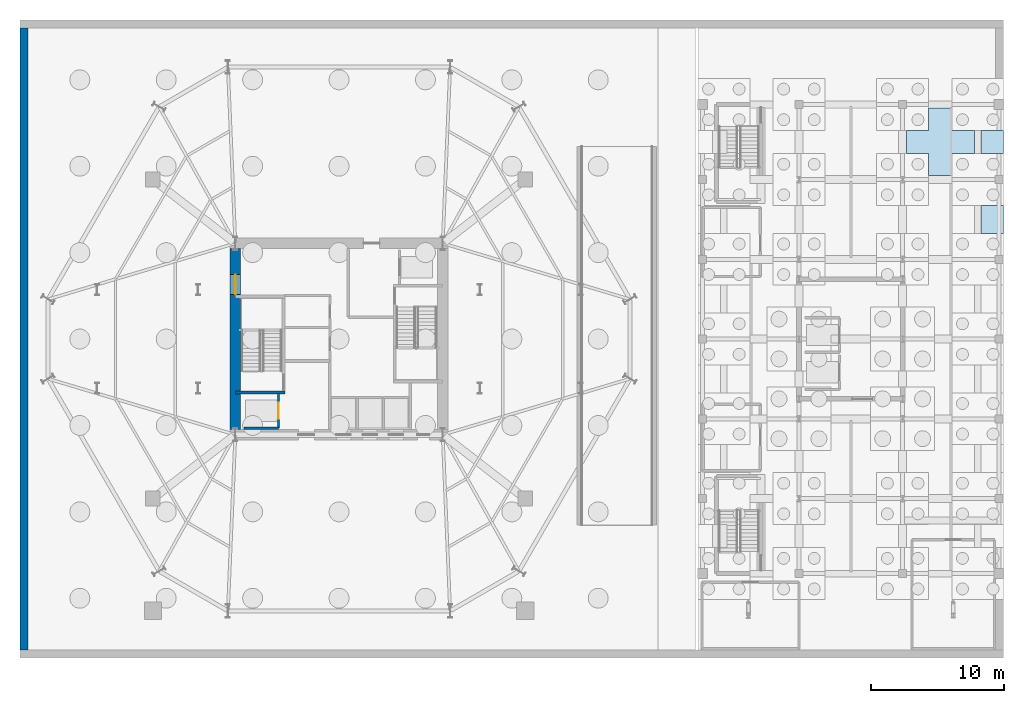
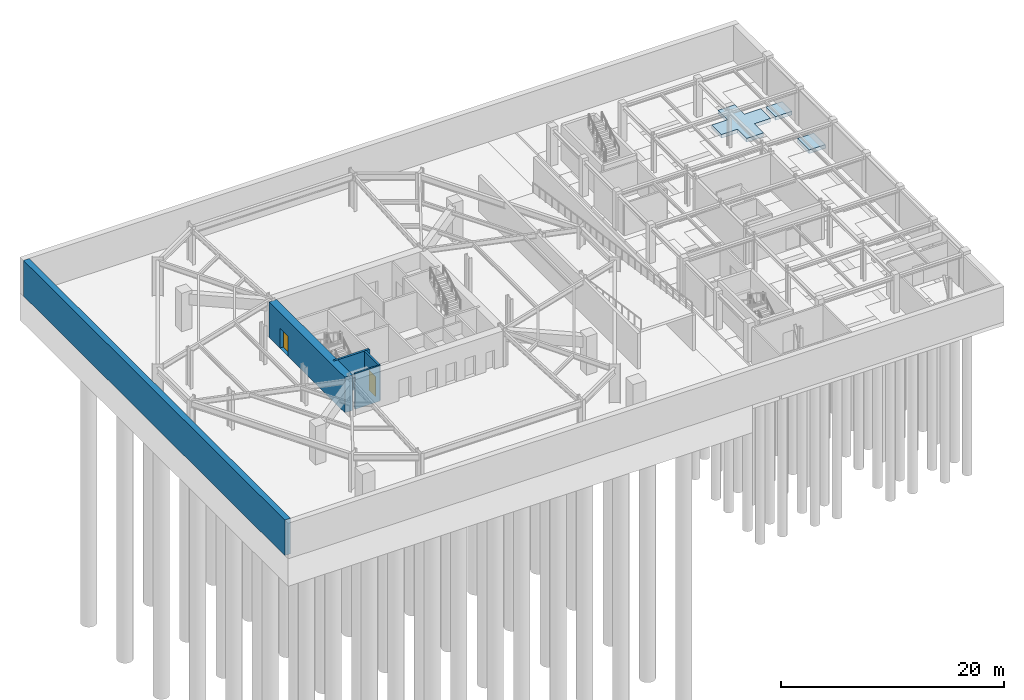
# One storey, part 12 of 18: 5 walls, 3 slabs, 2 doors, 2 openings.
"""IFC4 building model written with IfcOpenShell, lengths in metres."""

import ifcopenshell
import ifcopenshell.guid

model = None  # the IFC model being written
_history = None  # IfcOwnerHistory: only IFC2X3 demands one
_inside = {}  # id of a spatial element -> (the spatial element, [elements in it])
_under = {}  # id of a project, library or spatial element -> (it, [spatial elements below it])
_declared = {}  # id of a project -> (the project, [libraries it declares])
_typed = {}  # id of a type object -> (the type object, [elements of that type])
_made_of = {}  # id of a material, layer set ... -> (it, [elements and type objects made of it])


def new_model(schema):
    """Start an empty IFC model of exactly this schema.

    Asked for "IFC4X3", IfcOpenShell would pick the latest addendum, in which some entities
    have other attributes; the version numbers below select the first issue.
    IFC2X3 requires an IfcOwnerHistory on every rooted entity: one is made here for all.
    """
    global model, _history
    if schema == "IFC4X3":
        model = ifcopenshell.file(schema_version=(4, 3, 0, 0))
    else:
        model = ifcopenshell.file(schema=schema)
    _inside.clear()
    _under.clear()
    _declared.clear()
    _typed.clear()
    _made_of.clear()
    _history = None
    if model.schema == "IFC2X3":
        org = make("IfcOrganization", Name="unknown")
        user = make(
            "IfcPersonAndOrganization",
            ThePerson=make("IfcPerson", FamilyName="unknown"),
            TheOrganization=org,
        )
        app = make(
            "IfcApplication",
            ApplicationDeveloper=org,
            Version="unknown",
            ApplicationFullName="unknown",
            ApplicationIdentifier="unknown",
        )
        _history = make(
            "IfcOwnerHistory",
            OwningUser=user,
            OwningApplication=app,
            ChangeAction="ADDED",
            CreationDate=0,
        )
    return model


def make(cls, **values):
    """One entity of the class cls with the attributes given. An attribute that is None is left unset."""
    return model.create_entity(
        cls, **{name: value for name, value in values.items() if value is not None}
    )


def rooted(cls, **values):
    """An entity with a GlobalId (a new one), such as an element, a storey or a relation."""
    return make(cls, GlobalId=ifcopenshell.guid.new(), OwnerHistory=_history, **values)


def si_unit(unit_type, name, prefix=None):
    """IfcSIUnit, for example si_unit("LENGTHUNIT", "METRE", prefix="MILLI")."""
    return make("IfcSIUnit", UnitType=unit_type, Prefix=prefix, Name=name)


def assignment(units):
    """IfcUnitAssignment: the units of a project."""
    return None if units is None else make("IfcUnitAssignment", Units=units)


def point(xyz):
    """IfcCartesianPoint."""
    return None if xyz is None else make("IfcCartesianPoint", Coordinates=xyz)


def direction(xyz):
    """IfcDirection."""
    return None if xyz is None else make("IfcDirection", DirectionRatios=xyz)


def frame(location, z_axis=None, x_axis=None):
    """IfcAxis2Placement3D, a coordinate frame: its origin and axes. An axis left out is left unset."""
    return make(
        "IfcAxis2Placement3D",
        Location=point(location),
        Axis=direction(z_axis),
        RefDirection=direction(x_axis),
    )


def frame_2d(location, x_axis=None):
    """IfcAxis2Placement2D, a coordinate frame in the plane: its origin and x axis."""
    return make(
        "IfcAxis2Placement2D", Location=point(location), RefDirection=direction(x_axis)
    )


def origin():
    """The frame at (0, 0, 0) with its axes left unset."""
    return frame((0.0, 0.0, 0.0))


def place(relative_to, where):
    """IfcLocalPlacement: puts the frame where relative to a parent placement (None: the world)."""
    return make(
        "IfcLocalPlacement", PlacementRelTo=relative_to, RelativePlacement=where
    )


def context(
    kind, dimensions, precision=None, world=None, true_north=None, identifier=None
):
    """IfcGeometricRepresentationContext, for example the 3D "Model" context."""
    return make(
        "IfcGeometricRepresentationContext",
        ContextIdentifier=identifier,
        ContextType=kind,
        CoordinateSpaceDimension=dimensions,
        Precision=precision,
        WorldCoordinateSystem=world,
        TrueNorth=true_north,
    )


def subcontext(parent, identifier, kind, view, scale=None):
    """IfcGeometricRepresentationSubContext, for example "Body" below "Model"."""
    return make(
        "IfcGeometricRepresentationSubContext",
        ContextIdentifier=identifier,
        ContextType=kind,
        ParentContext=parent,
        TargetScale=scale,
        TargetView=view,
    )


def project(units=None, contexts=None):
    """IfcProject with its units and contexts."""
    return rooted(
        "IfcProject",
        Name="project",
        RepresentationContexts=contexts,
        UnitsInContext=assignment(units),
    )


def spatial(cls, under=None, at=None, **own):
    """A site, building, storey or space (cls), placed at a placement, below another one or the project."""
    s = rooted(cls, ObjectPlacement=at, **own)
    if under is not None:
        _under.setdefault(under.id(), (under, []))[1].append(s)
    return s


def polyline(points):
    """IfcPolyline through the points."""
    return make("IfcPolyline", Points=[point(p) for p in points])


def profile(cls, at=None, kind="AREA", **sizes):
    """A parametric profile (cls). Its sizes go by their IFC names, for example OverallWidth=200.0."""
    return make(cls, ProfileType=kind, Position=at, **sizes)


def rectangle(**sizes):
    """IfcRectangleProfileDef."""
    return profile("IfcRectangleProfileDef", **sizes)


def outline(outer, holes=None, kind="AREA"):
    """IfcArbitraryClosedProfileDef: a profile drawn as a closed curve; with holes, ...WithVoids."""
    if holes is None:
        return make("IfcArbitraryClosedProfileDef", ProfileType=kind, OuterCurve=outer)
    return make(
        "IfcArbitraryProfileDefWithVoids",
        ProfileType=kind,
        OuterCurve=outer,
        InnerCurves=holes,
    )


def extrude(swept, where, along, depth):
    """IfcExtrudedAreaSolid: the profile swept, set in the frame where, extruded along a direction by depth."""
    return make(
        "IfcExtrudedAreaSolid",
        SweptArea=swept,
        Position=where,
        ExtrudedDirection=direction(along),
        Depth=depth,
    )


def shape(context_of_items, identifier, shape_type, items):
    """IfcShapeRepresentation: the items that make up one representation, for example the "Body"."""
    return make(
        "IfcShapeRepresentation",
        ContextOfItems=context_of_items,
        RepresentationIdentifier=identifier,
        RepresentationType=shape_type,
        Items=items,
    )


def material(Name=None, Category=None):
    """IfcMaterial."""
    return make("IfcMaterial", Name=Name, Category=Category)


def layer(
    of_material, thickness, ventilated=None, Name=None, Category=None, Priority=None
):
    """IfcMaterialLayer: one layer of a wall or slab, of a material (None: an air gap)."""
    return make(
        "IfcMaterialLayer",
        Material=of_material,
        LayerThickness=thickness,
        IsVentilated=ventilated,
        Name=Name,
        Category=Category,
        Priority=Priority,
    )


def layer_set(layers, Name=None):
    """IfcMaterialLayerSet."""
    return make("IfcMaterialLayerSet", MaterialLayers=layers, LayerSetName=Name)


def made_of(thing, what):
    """Note that an element or type object is made of a material, layer set ...; save() writes the relation."""
    if what is not None:
        _made_of.setdefault(what.id(), (what, []))[1].append(thing)
    return thing


def type_object(cls, material=None, **own):
    """A type object (cls), such as IfcWallType, which elements share."""
    return made_of(rooted(cls, **own), material)


def element(
    cls,
    number,
    at=None,
    inside=None,
    cuts=None,
    type_object=None,
    material=None,
    context=None,
    identifier="Body",
    shape_type=None,
    held_by="IfcProductDefinitionShape",
    body=None,
    shapes=None,
    **own,
):
    """One element of the class cls, such as IfcWall. Its Tag is "e" and its number.

    at: its placement. inside: the storey or other place that contains it. cuts: it is an
    opening in that element (IfcRelVoidsElement). A single representation is given by context,
    identifier, shape_type and body (its items); several are given by shapes. held_by: the class
    of the entity that holds the representations. save() writes the other relations.
    """
    e = rooted(cls, Tag="e%d" % number, ObjectPlacement=at, **own)
    if body is not None:
        shapes = [shape(context, identifier, shape_type, body)]
    if shapes is not None:
        e.Representation = make(held_by, Representations=shapes)
    if inside is not None:
        _inside.setdefault(inside.id(), (inside, []))[1].append(e)
    if cuts is not None:
        rooted(
            "IfcRelVoidsElement", RelatingBuildingElement=cuts, RelatedOpeningElement=e
        )
    if type_object is not None:
        _typed.setdefault(type_object.id(), (type_object, []))[1].append(e)
    return made_of(e, material)


def fill(opening, filler):
    """IfcRelFillsElement: the door or window that sits in an opening."""
    return rooted(
        "IfcRelFillsElement",
        RelatingOpeningElement=opening,
        RelatedBuildingElement=filler,
    )


def aggregate(whole, parts):
    """IfcRelAggregates: a whole, such as a stair, and the parts it consists of."""
    return rooted("IfcRelAggregates", RelatingObject=whole, RelatedObjects=parts)


def save(model, path):
    """Write the relations noted so far, then the file.

    IfcRelAggregates (storeys below a building ...), IfcRelContainedInSpatialStructure (elements
    in a storey), IfcRelDefinesByType, IfcRelAssociatesMaterial and IfcRelDeclares: one each for
    every whole, place, type object, material and project.
    """
    for whole, parts in _under.values():
        aggregate(whole, parts)
    for where, things in _inside.values():
        rooted(
            "IfcRelContainedInSpatialStructure",
            RelatedElements=things,
            RelatingStructure=where,
        )
    for kind, things in _typed.values():
        rooted("IfcRelDefinesByType", RelatedObjects=things, RelatingType=kind)
    for what, things in _made_of.values():
        rooted("IfcRelAssociatesMaterial", RelatedObjects=things, RelatingMaterial=what)
    for by, libraries in _declared.values():
        rooted("IfcRelDeclares", RelatingContext=by, RelatedDefinitions=libraries)
    model.write(path)


model = new_model("IFC4")

# Units and contexts
model_context = context("Model", 3, precision=1e-05, world=origin(), true_north=direction((0.0, 1.0)))
body_context = subcontext(model_context, "Body", "Model", "MODEL_VIEW")
ifc_project = project(units=[si_unit("LENGTHUNIT", "METRE"), si_unit("AREAUNIT", "SQUARE_METRE"), si_unit("VOLUMEUNIT", "CUBIC_METRE"), si_unit("PLANEANGLEUNIT", "RADIAN"), si_unit("MASSUNIT", "GRAM", prefix="KILO")], contexts=[model_context])

# Site, building, storey
site_placement = place(None, origin())
site = spatial("IfcSite", under=ifc_project, at=site_placement, CompositionType="ELEMENT")
building_placement = place(site_placement, origin())
building = spatial("IfcBuilding", under=site, at=building_placement, Name="Kranzbogen Civic Tower", CompositionType="ELEMENT")
storey_placement = place(building_placement, frame((0.0, 0.0, -8.39990234375)))
storey = spatial("IfcBuildingStorey", under=building, at=storey_placement, Name="B02", CompositionType="ELEMENT", Elevation=-8.39990234375)

# Slabs
ifc_material_1 = material(Name="Concrete C40/50", Category="concrete")
ifc_layer_1 = layer(ifc_material_1, 0.39990234375, Name="Concrete C40/50")
ifc_layer_set_1 = layer_set([ifc_layer_1], Name="Concrete C40/50")
slab_type = type_object("IfcSlabType", Name="Basement Structural Base Slab 400 mm", PredefinedType="BASESLAB", material=ifc_layer_set_1)
slab_1_placement = place(storey_placement, frame((0.0, 0.0, -0.400146484375)))
element("IfcSlab", 1, at=slab_1_placement, inside=storey, type_object=slab_type, Name="B02 basement structural base slab 6", PredefinedType="BASESLAB", context=body_context, shape_type="SweptSolid", body=[
    extrude(outline(polyline([(75.0, 35.048095703125), (73.302001953125, 35.048095703125), (73.302001953125, 32.951904296875), (75.0, 32.951904296875), (75.0, 35.048095703125)])), origin(), (0.0, 0.0, 1.0), 0.400146484375),
])
slab_2_placement = place(storey_placement, frame((0.0, 0.0, -0.400146484375)))
element("IfcSlab", 2, at=slab_2_placement, inside=storey, type_object=slab_type, Name="B02 basement structural base slab 7", PredefinedType="BASESLAB", context=body_context, shape_type="SweptSolid", body=[
    extrude(outline(polyline([(75.0, 40.697998046875), (73.302001953125, 40.697998046875), (73.302001953125, 38.951904296875), (75.0, 38.951904296875), (75.0, 40.697998046875)])), origin(), (0.0, 0.0, 1.0), 0.400146484375),
])
slab_3_placement = place(storey_placement, frame((0.0, 0.0, -0.400146484375)))
element("IfcSlab", 3, at=slab_3_placement, inside=storey, type_object=slab_type, Name="B02 basement structural base slab 17", PredefinedType="BASESLAB", context=body_context, shape_type="SweptSolid", body=[
    extrude(outline(polyline([(69.35009765625, 38.951904296875), (69.35009765625, 38.951904296875), (69.35009765625, 38.951904296875), (69.35107421875, 38.951904296875), (69.35107421875, 38.951904296875), (69.35107421875, 38.951904296875), (69.35107421875, 38.951904296875), (69.35107421875, 38.951904296875), (69.35107421875, 38.950927734375), (69.35205078125, 38.950927734375), (69.35205078125, 38.950927734375), (69.35205078125, 38.950927734375), (69.35205078125, 38.950927734375), (69.35205078125, 38.950927734375), (69.35205078125, 38.949951171875), (69.35205078125, 38.949951171875), (69.35205078125, 38.949951171875), (69.35205078125, 37.302001953125), (71.097900390625, 37.302001953125), (71.097900390625, 38.949951171875), (71.097900390625, 38.949951171875), (71.097900390625, 38.949951171875), (71.097900390625, 38.950927734375), (71.097900390625, 38.950927734375), (71.097900390625, 38.950927734375), (71.097900390625, 38.950927734375), (71.097900390625, 38.950927734375), (71.09912109375, 38.950927734375), (71.09912109375, 38.951904296875), (71.09912109375, 38.951904296875), (71.09912109375, 38.951904296875), (71.09912109375, 38.951904296875), (71.09912109375, 38.951904296875), (71.10009765625, 38.951904296875), (71.10009765625, 38.951904296875), (71.10009765625, 38.951904296875), (72.798095703125, 38.951904296875), (72.798095703125, 40.697998046875), (71.10009765625, 40.697998046875), (71.10009765625, 40.697998046875), (71.10009765625, 40.697998046875), (71.09912109375, 40.697998046875), (71.09912109375, 40.697998046875), (71.09912109375, 40.697998046875), (71.09912109375, 40.697998046875), (71.09912109375, 40.697998046875), (71.09912109375, 40.698974609375), (71.097900390625, 40.698974609375), (71.097900390625, 40.698974609375), (71.097900390625, 40.698974609375), (71.097900390625, 40.698974609375), (71.097900390625, 40.698974609375), (71.097900390625, 40.699951171875), (71.097900390625, 40.699951171875), (71.097900390625, 40.699951171875), (71.097900390625, 42.39794921875), (69.35205078125, 42.39794921875), (69.35205078125, 40.699951171875), (69.35205078125, 40.699951171875), (69.35205078125, 40.699951171875), (69.35205078125, 40.698974609375), (69.35205078125, 40.698974609375), (69.35205078125, 40.698974609375), (69.35205078125, 40.698974609375), (69.35205078125, 40.698974609375), (69.35107421875, 40.698974609375), (69.35107421875, 40.697998046875), (69.35107421875, 40.697998046875), (69.35107421875, 40.697998046875), (69.35107421875, 40.697998046875), (69.35107421875, 40.697998046875), (69.35009765625, 40.697998046875), (69.35009765625, 40.697998046875), (69.35009765625, 40.697998046875), (67.701904296875, 40.697998046875), (67.701904296875, 38.951904296875), (69.35009765625, 38.951904296875)])), origin(), (0.0, 0.0, 1.0), 0.400146484375),
])

# Wall
ifc_material_2 = material(Name="Concrete C45/55", Category="concrete")
ifc_layer_2 = layer(ifc_material_2, 0.60009765625, Name="Concrete C45/55")
ifc_layer_set_2 = layer_set([ifc_layer_2], Name="Concrete C45/55")
wall_type_1 = type_object("IfcWallType", Name="Basement Retaining Wall 600 mm", PredefinedType="USERDEFINED", material=ifc_layer_set_2)
wall_1_placement = place(storey_placement, frame((1.300048828125, 48.39990234375, 0.0), z_axis=(0.0, 0.0, 1.0), x_axis=(0.0, -1.0, 0.0)))
element("IfcWall", 4, at=wall_1_placement, inside=storey, type_object=wall_type_1, Name="B02 West basement retaining wall", ObjectType="RETAINING_WALL", PredefinedType="USERDEFINED", context=body_context, shape_type="SweptSolid", body=[
    extrude(rectangle(XDim=46.7998046875, YDim=0.60009765625, at=frame_2d((23.39990234375, 0.0))), origin(), (0.0, 0.0, 1.0), 3.8798828125),
])

# Wall, opening, door
ifc_material_3 = material(Name="Concrete C55/67", Category="concrete")
ifc_layer_3 = layer(ifc_material_3, 0.800048828125, Name="Concrete C55/67")
ifc_layer_set_3 = layer_set([ifc_layer_3], Name="Concrete C55/67")
wall_type_2 = type_object("IfcWallType", Name="Central Core Shear Wall 800 mm", PredefinedType="SHEAR", material=ifc_layer_set_3)
wall_2_placement = place(storey_placement, frame((17.199951171875, 31.800048828125, 0.0), z_axis=(0.0, 0.0, 1.0), x_axis=(0.0, -1.0, 0.0)))
wall_2 = element("IfcWall", 5, at=wall_2_placement, inside=storey, type_object=wall_type_2, Name="B02 central core West shear wall", PredefinedType="SHEAR", context=body_context, shape_type="SweptSolid", body=[
    extrude(rectangle(XDim=13.60009765625, YDim=0.800048828125, at=frame_2d((6.800048828125, 0.0))), origin(), (0.0, 0.0, 1.0), 3.8798828125),
])
opening_1_placement = place(wall_2_placement, frame((1.949951171875, 0.0, 0.0)))
opening_1 = element("IfcOpeningElement", 6, at=opening_1_placement, cuts=wall_2, Name="Opening D-DBL15", PredefinedType="OPENING", context=body_context, shape_type="SweptSolid", body=[
    extrude(rectangle(XDim=1.5, YDim=2.199951171875, at=frame_2d((0.75, 1.10009765625))), frame((0.0, 0.41015625, 0.0), z_axis=(0.0, -1.0, 0.0), x_axis=(1.0, 0.0, 0.0)), (0.0, 0.0, 1.0), 0.820068359375),
])
ifc_material_4 = material(Name="Anodised Bronze and Glass", Category="glass")
door_type_1 = type_object("IfcDoorType", Name="Civic Lobby Double Door 1500x2200", OperationType="DOUBLE_DOOR_SINGLE_SWING", PredefinedType="DOOR", material=ifc_material_4)
door_1_placement = place(opening_1_placement, origin())
door_1 = element("IfcDoor", 7, at=door_1_placement, inside=storey, type_object=door_type_1, Name="B02 Central Lift Lobby West concourse door", OperationType="DOUBLE_DOOR_SINGLE_SWING", OverallHeight=2.199951171875, OverallWidth=1.5, PredefinedType="DOOR", context=body_context, shape_type="SweptSolid", body=[
    extrude(rectangle(XDim=1.5, YDim=2.199951171875, at=frame_2d((0.75, 1.10009765625))), frame((0.0, 0.02490234375, 0.0), z_axis=(0.0, -1.0, 0.0), x_axis=(1.0, 0.0, 0.0)), (0.0, 0.0, 1.0), 0.050048828125),
])
fill(opening_1, door_1)

# Wall
ifc_layer_4 = layer(ifc_material_2, 0.219970703125, Name="Concrete C45/55")
ifc_layer_set_4 = layer_set([ifc_layer_4], Name="Concrete C45/55")
wall_type_3 = type_object("IfcWallType", Name="Core Internal Stair Structural Wall 220 mm", PredefinedType="SOLIDWALL", material=ifc_layer_set_4)
wall_3_placement = place(storey_placement, frame((17.199951171875, 20.989990234375, 0.0), z_axis=(0.0, 0.0, 1.0), x_axis=(1.0, 0.0, 0.0)))
element("IfcWall", 8, at=wall_3_placement, inside=storey, type_object=wall_type_3, Name="B02 ST-T1 South structural stair wall", PredefinedType="SOLIDWALL", context=body_context, shape_type="SweptSolid", body=[
    extrude(rectangle(XDim=3.719970703125, YDim=0.219970703125, at=frame_2d((1.85986328125, 0.0))), origin(), (0.0, 0.0, 1.0), 3.8798828125),
])

# Wall, opening, door
ifc_material_5 = material(Name="Gypsum Fireboard Shaftliner")
ifc_layer_5 = layer(ifc_material_5, 0.175048828125, Name="Gypsum Fireboard Shaftliner")
ifc_layer_set_5 = layer_set([ifc_layer_5], Name="Gypsum Fireboard Shaftliner")
wall_type_4 = type_object("IfcWallType", Name="Fire-Rated Lift and Service Shaft Wall 175 mm", PredefinedType="PARTITIONING", material=ifc_layer_set_5)
wall_4_placement = place(storey_placement, frame((20.449951171875, 18.300048828125, 0.0), z_axis=(0.0, 0.0, 1.0), x_axis=(0.0, 1.0, 0.0)))
wall_4 = element("IfcWall", 9, at=wall_4_placement, inside=storey, type_object=wall_type_4, Name="B02 lift FF-01 landing wall", PredefinedType="PARTITIONING", context=body_context, shape_type="SweptSolid", body=[
    extrude(rectangle(XDim=2.599853515625, YDim=0.175048828125, at=frame_2d((1.2998046875, 0.0))), origin(), (0.0, 0.0, 1.0), 3.8798828125),
])
opening_2_placement = place(wall_4_placement, frame((0.699951171875, 0.0, 0.0)))
opening_2 = element("IfcOpeningElement", 10, at=opening_2_placement, cuts=wall_4, Name="Opening LD-FF-01", PredefinedType="OPENING", context=body_context, shape_type="SweptSolid", body=[
    extrude(rectangle(XDim=1.199951171875, YDim=2.199951171875, at=frame_2d((0.60009765625, 1.10009765625))), frame((0.0, 0.09765625, 0.0), z_axis=(0.0, -1.0, 0.0), x_axis=(1.0, 0.0, 0.0)), (0.0, 0.0, 1.0), 0.195068359375),
])
ifc_material_6 = material(Name="Pale Anodised Aluminium", Category="aluminium")
door_type_2 = type_object("IfcDoorType", Name="Firefighting and Stretcher Lift Sliding Landing Door 1200x2200", OperationType="DOUBLE_DOOR_SLIDING", PredefinedType="DOOR", material=ifc_material_6)
door_2_placement = place(opening_2_placement, origin())
door_2 = element("IfcDoor", 11, at=door_2_placement, inside=storey, type_object=door_type_2, Name="B02 lift FF-01 sliding landing door", OperationType="DOUBLE_DOOR_SLIDING", OverallHeight=2.199951171875, OverallWidth=1.199951171875, PredefinedType="DOOR", context=body_context, shape_type="SweptSolid", body=[
    extrude(rectangle(XDim=1.199951171875, YDim=2.199951171875, at=frame_2d((0.60009765625, 1.10009765625))), frame((0.0, 0.02490234375, 0.0), z_axis=(0.0, -1.0, 0.0), x_axis=(1.0, 0.0, 0.0)), (0.0, 0.0, 1.0), 0.050048828125),
])
fill(opening_2, door_2)

# Wall
wall_5_placement = place(storey_placement, frame((17.85009765625, 18.300048828125, 0.0), z_axis=(0.0, 0.0, 1.0), x_axis=(1.0, 0.0, 0.0)))
element("IfcWall", 12, at=wall_5_placement, inside=storey, type_object=wall_type_4, Name="B02 lift FF-01 side wall", PredefinedType="PARTITIONING", context=body_context, shape_type="SweptSolid", body=[
    extrude(rectangle(XDim=2.599853515625, YDim=0.175048828125, at=frame_2d((1.2998046875, 0.0))), origin(), (0.0, 0.0, 1.0), 3.8798828125),
])

save(model, "model.ifc")
